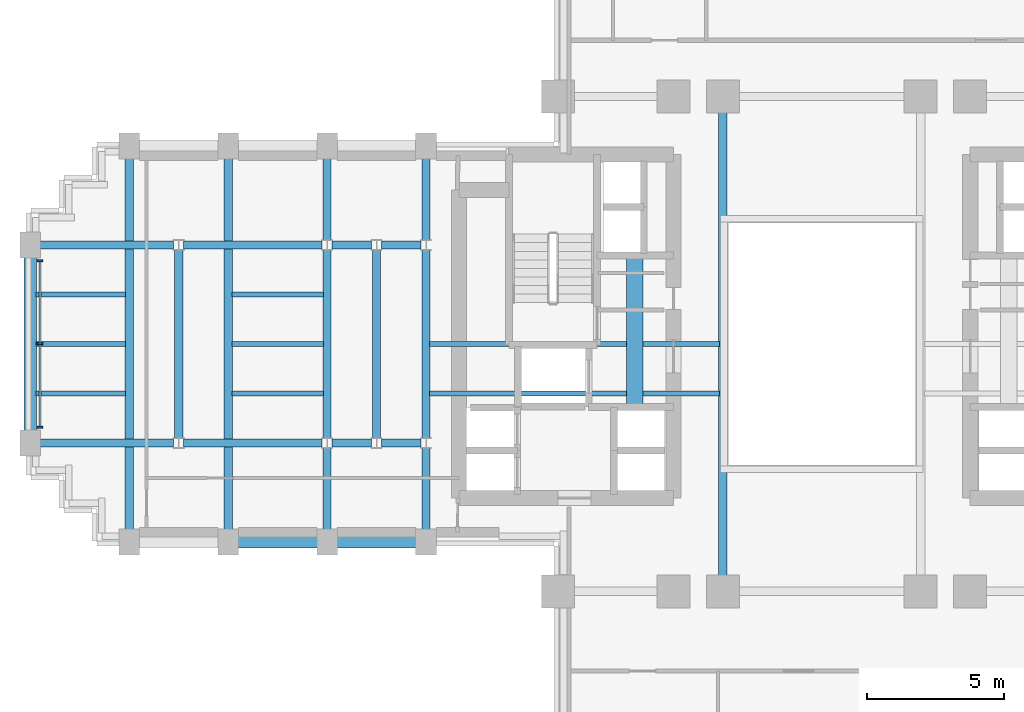
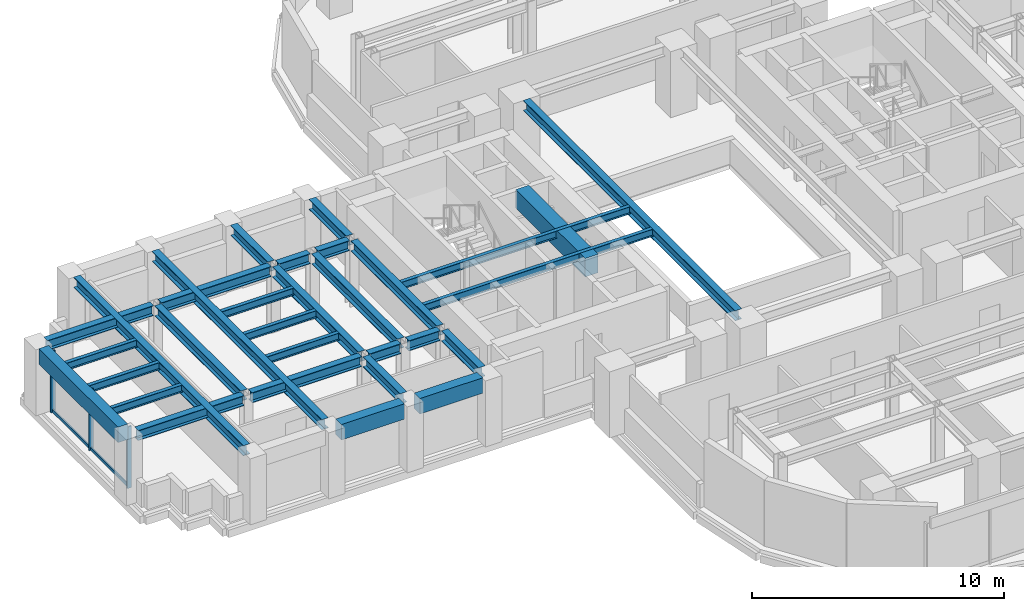
# One storey, part 4 of 16: 31 beams, 5 members, 1 element without a shape of its own.
"""IFC4 building model written with IfcOpenShell, lengths in metres."""

from ifc_helpers import new_model, si_unit, direction, frame, origin, origin_2d, place, context, subcontext, project, spatial, rectangle, i_section, extrude, source, transform, mapped, material, material_profile, profile_set, type_object, element, aggregate, save


model = new_model("IFC4")

# Units and contexts
model_context = context("Model", 3, precision=1e-05, world=origin(), true_north=direction((0.0, 1.0)))
body_context = subcontext(model_context, "Body", "Model", "MODEL_VIEW")
ifc_project = project(units=[si_unit("LENGTHUNIT", "METRE"), si_unit("AREAUNIT", "SQUARE_METRE"), si_unit("VOLUMEUNIT", "CUBIC_METRE"), si_unit("PLANEANGLEUNIT", "RADIAN"), si_unit("MASSUNIT", "GRAM", prefix="KILO")], contexts=[model_context])

# Site, building, storey
site_placement = place(None, origin())
site = spatial("IfcSite", under=ifc_project, at=site_placement, CompositionType="ELEMENT")
building_placement = place(site_placement, origin())
building = spatial("IfcBuilding", under=site, at=building_placement, Name="Keilestroom Media Tower", CompositionType="ELEMENT")
storey_placement = place(building_placement, frame((0.0, 0.0, 54.39990234375)))
storey = spatial("IfcBuildingStorey", under=building, at=storey_placement, Name="L13", CompositionType="ELEMENT", Elevation=54.39990234375)

# Beams
ifc_material_1 = material(Name="Concrete C70/85", Category="concrete")
ifc_material_profile_1 = material_profile(ifc_material_1, rectangle(XDim=0.60009765625, YDim=0.89990234375, at=origin_2d()), Name="RC 600x900")
ifc_profile_set_1 = profile_set([ifc_material_profile_1], Name="Concrete C70/85")
beam_type_1 = type_object("IfcBeamType", Name="Core-Coupling-Lintel-Beam-RC-600x900", PredefinedType="LINTEL", material=ifc_profile_set_1)
shared_shape_1 = source(origin(), body_context, "Body", "SweptSolid", [
    extrude(rectangle(XDim=0.60009765625, YDim=0.89990234375, at=origin_2d()), origin(), (0.0, 0.0, 1.0), 5.52001953125),
])
beam_1_placement = place(storey_placement, frame((-6.800048828125, -2.300048828125, 2.75), z_axis=(0.0, 1.0, 0.0), x_axis=(-1.0, 0.0, 0.0)))
element("IfcBeam", 1, at=beam_1_placement, inside=storey, type_object=beam_type_1, Name="L13 Beam CLB-1 CLB-L13-W", PredefinedType="LINTEL", context=body_context, shape_type="MappedRepresentation", body=[
    mapped(shared_shape_1, transform((0.0, 0.0, 0.0), x_axis=(1.0, 0.0, 0.0), y_axis=(0.0, 1.0, 0.0), z_axis=(0.0, 0.0, 1.0), scale=1.0)),
])
ifc_material_2 = material(Name="Precast concrete C40/50", Category="concrete")
ifc_material_profile_2 = material_profile(ifc_material_2, rectangle(XDim=0.449951171875, YDim=0.75, at=origin_2d()), Name="PC 450x750")
ifc_profile_set_2 = profile_set([ifc_material_profile_2], Name="Precast concrete C40/50")
beam_type_2 = type_object("IfcBeamType", Name="Perimeter-Spandrel-Beam-PC-450x750", PredefinedType="SPANDREL", material=ifc_profile_set_2)
shared_shape_2 = source(origin(), body_context, "Body", "SweptSolid", [
    extrude(rectangle(XDim=0.449951171875, YDim=0.75, at=origin_2d()), origin(), (0.0, 0.0, 1.0), 6.2900390625),
])
beam_2_placement = place(storey_placement, frame((-28.800048828125, -3.14501953125, 2.8251953125), z_axis=(0.0, 1.0, 0.0), x_axis=(-1.0, 0.0, 0.0)))
element("IfcBeam", 2, at=beam_2_placement, inside=storey, type_object=beam_type_2, Name="L13 Beam SPB-1 BM-L13-NS-051", PredefinedType="SPANDREL", context=body_context, shape_type="MappedRepresentation", body=[
    mapped(shared_shape_2, transform((0.0, 0.0, 0.0), x_axis=(1.0, 0.0, 0.0), y_axis=(0.0, 1.0, 0.0), z_axis=(0.0, 0.0, 1.0), scale=1.0)),
])
shared_shape_3 = source(origin(), body_context, "Body", "SweptSolid", [
    extrude(rectangle(XDim=0.449951171875, YDim=0.75, at=origin_2d()), origin(), (0.0, 0.0, 1.0), 2.89013671875),
])
for number, where, z_axis, x_axis, name in (
    (3, (-21.2451171875, -7.199951171875, 2.8251953125), (1.0, 0.0, 0.0), (0.0, 1.0, 0.0), "L13 Beam SPB-1 BM-L13-EW-013"),
    (4, (-17.64501953125, -7.199951171875, 2.8251953125), (1.0, 0.0, 0.0), (0.0, 1.0, 0.0), "L13 Beam SPB-1 BM-L13-EW-014"),
):
    element("IfcBeam", number, at=place(storey_placement, frame(where, z_axis=z_axis, x_axis=x_axis)), inside=storey, type_object=beam_type_2, Name=name, PredefinedType="SPANDREL", context=body_context, shape_type="MappedRepresentation", body=[
        mapped(shared_shape_3, transform((0.0, 0.0, 0.0), x_axis=(1.0, 0.0, 0.0), y_axis=(0.0, 1.0, 0.0), z_axis=(0.0, 0.0, 1.0), scale=1.0)),
    ])
ifc_material_3 = material(Name="Steel S355", Category="steel")
ifc_material_profile_3 = material_profile(ifc_material_3, i_section(OverallWidth=0.300048828125, OverallDepth=0.5, WebThickness=0.012451171875, FlangeThickness=0.028076171875, at=origin_2d()), Name="HEB 500")
ifc_profile_set_3 = profile_set([ifc_material_profile_3], Name="Steel S355")
beam_type_3 = type_object("IfcBeamType", Name="Primary-Structural-Girder-HEB-500", PredefinedType="BEAM", material=ifc_profile_set_3)
shared_shape_4 = source(origin(), body_context, "Body", "SweptSolid", [
    extrude(i_section(OverallWidth=0.300048828125, OverallDepth=0.5, WebThickness=0.012451171875, FlangeThickness=0.028076171875, at=origin_2d()), origin(), (0.0, 0.0, 1.0), 13.490234375),
])
for number, where, z_axis, x_axis, name in (
    (5, (-25.199951171875, -6.7451171875, 2.9501953125), (0.0, 1.0, 0.0), (-1.0, 0.0, 0.0), "L13 Beam BG-6 BM-L13-NS-052"),
    (6, (-21.60009765625, -6.7451171875, 2.9501953125), (0.0, 1.0, 0.0), (-1.0, 0.0, 0.0), "L13 Beam BG-6 BM-L13-NS-054"),
):
    element("IfcBeam", number, at=place(storey_placement, frame(where, z_axis=z_axis, x_axis=x_axis)), inside=storey, type_object=beam_type_3, Name=name, PredefinedType="BEAM", context=body_context, shape_type="MappedRepresentation", body=[
        mapped(shared_shape_4, transform((0.0, 0.0, 0.0), x_axis=(1.0, 0.0, 0.0), y_axis=(0.0, 1.0, 0.0), z_axis=(0.0, 0.0, 1.0), scale=1.0)),
    ])
shared_shape_5 = source(origin(), body_context, "Body", "SweptSolid", [
    extrude(i_section(OverallWidth=0.300048828125, OverallDepth=0.5, WebThickness=0.012451171875, FlangeThickness=0.028076171875, at=origin_2d()), origin(), (0.0, 0.0, 1.0), 6.8330078125),
])
for number, where, z_axis, x_axis, name in (
    (7, (-23.39990234375, -3.41650390625, 2.9501953125), (0.0, 1.0, 0.0), (-1.0, 0.0, 0.0), "L13 Beam BG-6 BM-L13-NS-053"),
    (8, (-18.0, -3.41650390625, 2.9501953125), (0.0, 1.0, 0.0), (-1.0, 0.0, 0.0), "L13 Beam BG-6 BM-L13-NS-056"),
    (9, (-16.199951171875, -3.41650390625, 2.9501953125), (0.0, 1.0, 0.0), (-1.0, 0.0, 0.0), "L13 Beam BG-6 BM-L13-NS-058"),
    (10, (-14.39990234375, -3.41650390625, 2.9501953125), (0.0, 1.0, 0.0), (-1.0, 0.0, 0.0), "L13 Beam BG-6 BM-L13-NS-060"),
):
    element("IfcBeam", number, at=place(storey_placement, frame(where, z_axis=z_axis, x_axis=x_axis)), inside=storey, type_object=beam_type_3, Name=name, PredefinedType="BEAM", context=body_context, shape_type="MappedRepresentation", body=[
        mapped(shared_shape_5, transform((0.0, 0.0, 0.0), x_axis=(1.0, 0.0, 0.0), y_axis=(0.0, 1.0, 0.0), z_axis=(0.0, 0.0, 1.0), scale=1.0)),
    ])
shared_shape_6 = source(origin(), body_context, "Body", "SweptSolid", [
    extrude(i_section(OverallWidth=0.300048828125, OverallDepth=0.5, WebThickness=0.012451171875, FlangeThickness=0.028076171875, at=origin_2d()), origin(), (0.0, 0.0, 1.0), 2.961669921875),
])
for number, where, z_axis, x_axis, name in (
    (11, (-18.0, -6.7451171875, 2.9501953125), (0.0, 1.0, 0.0), (-1.0, 0.0, 0.0), "L13 Beam BG-6 BM-L13-NS-055"),
    (12, (-18.0, 3.783447265625, 2.9501953125), (0.0, 1.0, 0.0), (-1.0, 0.0, 0.0), "L13 Beam BG-6 BM-L13-NS-057"),
    (13, (-14.39990234375, -6.7451171875, 2.9501953125), (0.0, 1.0, 0.0), (-1.0, 0.0, 0.0), "L13 Beam BG-6 BM-L13-NS-059"),
    (14, (-14.39990234375, 3.783447265625, 2.9501953125), (0.0, 1.0, 0.0), (-1.0, 0.0, 0.0), "L13 Beam BG-6 BM-L13-NS-061"),
):
    element("IfcBeam", number, at=place(storey_placement, frame(where, z_axis=z_axis, x_axis=x_axis)), inside=storey, type_object=beam_type_3, Name=name, PredefinedType="BEAM", context=body_context, shape_type="MappedRepresentation", body=[
        mapped(shared_shape_6, transform((0.0, 0.0, 0.0), x_axis=(1.0, 0.0, 0.0), y_axis=(0.0, 1.0, 0.0), z_axis=(0.0, 0.0, 1.0), scale=1.0)),
    ])
shared_shape_7 = source(origin(), body_context, "Body", "SweptSolid", [
    extrude(i_section(OverallWidth=0.300048828125, OverallDepth=0.5, WebThickness=0.012451171875, FlangeThickness=0.028076171875, at=origin_2d()), origin(), (0.0, 0.0, 1.0), 16.83984375),
])
beam_3_placement = place(storey_placement, frame((-3.60009765625, -8.419921875, 2.9501953125), z_axis=(0.0, 1.0, 0.0), x_axis=(-1.0, 0.0, 0.0)))
element("IfcBeam", 15, at=beam_3_placement, inside=storey, type_object=beam_type_3, Name="L13 Beam BG-6 BM-L13-NS-066", PredefinedType="BEAM", context=body_context, shape_type="MappedRepresentation", body=[
    mapped(shared_shape_7, transform((0.0, 0.0, 0.0), x_axis=(1.0, 0.0, 0.0), y_axis=(0.0, 1.0, 0.0), z_axis=(0.0, 0.0, 1.0), scale=1.0)),
])
ifc_material_profile_4 = material_profile(ifc_material_3, i_section(OverallWidth=0.300048828125, OverallDepth=0.489990234375, WebThickness=0.011962890625, FlangeThickness=0.02294921875, at=origin_2d()), Name="HEA 500")
ifc_profile_set_4 = profile_set([ifc_material_profile_4], Name="Steel S355")
beam_type_4 = type_object("IfcBeamType", Name="Primary-Structural-Girder-HEA-500", PredefinedType="BEAM", material=ifc_profile_set_4)
shared_shape_8 = source(origin(), body_context, "Body", "SweptSolid", [
    extrude(i_section(OverallWidth=0.300048828125, OverallDepth=0.489990234375, WebThickness=0.011962890625, FlangeThickness=0.02294921875, at=origin_2d()), origin(), (0.0, 0.0, 1.0), 4.863037109375),
])
for number, where, z_axis, x_axis, name in (
    (16, (-28.445068359375, -3.60009765625, 2.955078125), (1.0, 0.0, 0.0), (0.0, 1.0, 0.0), "L13 Beam BG-10 BM-L13-EW-018"),
    (17, (-28.445068359375, 3.60009765625, 2.955078125), (1.0, 0.0, 0.0), (0.0, 1.0, 0.0), "L13 Beam BG-10 BM-L13-EW-026"),
):
    element("IfcBeam", number, at=place(storey_placement, frame(where, z_axis=z_axis, x_axis=x_axis)), inside=storey, type_object=beam_type_4, Name=name, PredefinedType="BEAM", context=body_context, shape_type="MappedRepresentation", body=[
        mapped(shared_shape_8, transform((0.0, 0.0, 0.0), x_axis=(1.0, 0.0, 0.0), y_axis=(0.0, 1.0, 0.0), z_axis=(0.0, 0.0, 1.0), scale=1.0)),
    ])
shared_shape_9 = source(origin(), body_context, "Body", "SweptSolid", [
    extrude(i_section(OverallWidth=0.300048828125, OverallDepth=0.489990234375, WebThickness=0.011962890625, FlangeThickness=0.02294921875, at=origin_2d()), origin(), (0.0, 0.0, 1.0), 5.0361328125),
])
for number, where, z_axis, x_axis, name in (
    (18, (-23.218017578125, -3.60009765625, 2.955078125), (1.0, 0.0, 0.0), (0.0, 1.0, 0.0), "L13 Beam BG-10 BM-L13-EW-019"),
    (19, (-23.218017578125, 3.60009765625, 2.955078125), (1.0, 0.0, 0.0), (0.0, 1.0, 0.0), "L13 Beam BG-10 BM-L13-EW-027"),
):
    element("IfcBeam", number, at=place(storey_placement, frame(where, z_axis=z_axis, x_axis=x_axis)), inside=storey, type_object=beam_type_4, Name=name, PredefinedType="BEAM", context=body_context, shape_type="MappedRepresentation", body=[
        mapped(shared_shape_9, transform((0.0, 0.0, 0.0), x_axis=(1.0, 0.0, 0.0), y_axis=(0.0, 1.0, 0.0), z_axis=(0.0, 0.0, 1.0), scale=1.0)),
    ])
shared_shape_10 = source(origin(), body_context, "Body", "SweptSolid", [
    extrude(i_section(OverallWidth=0.300048828125, OverallDepth=0.489990234375, WebThickness=0.011962890625, FlangeThickness=0.02294921875, at=origin_2d()), origin(), (0.0, 0.0, 1.0), 1.43603515625),
])
for number, where, z_axis, x_axis, name in (
    (20, (-17.818115234375, -3.60009765625, 2.955078125), (1.0, 0.0, 0.0), (0.0, 1.0, 0.0), "L13 Beam BG-10 BM-L13-EW-020"),
    (21, (-16.01806640625, -3.60009765625, 2.955078125), (1.0, 0.0, 0.0), (0.0, 1.0, 0.0), "L13 Beam BG-10 BM-L13-EW-021"),
    (22, (-17.818115234375, 3.60009765625, 2.955078125), (1.0, 0.0, 0.0), (0.0, 1.0, 0.0), "L13 Beam BG-10 BM-L13-EW-028"),
    (23, (-16.01806640625, 3.60009765625, 2.955078125), (1.0, 0.0, 0.0), (0.0, 1.0, 0.0), "L13 Beam BG-10 BM-L13-EW-029"),
):
    element("IfcBeam", number, at=place(storey_placement, frame(where, z_axis=z_axis, x_axis=x_axis)), inside=storey, type_object=beam_type_4, Name=name, PredefinedType="BEAM", context=body_context, shape_type="MappedRepresentation", body=[
        mapped(shared_shape_10, transform((0.0, 0.0, 0.0), x_axis=(1.0, 0.0, 0.0), y_axis=(0.0, 1.0, 0.0), z_axis=(0.0, 0.0, 1.0), scale=1.0)),
    ])
ifc_material_profile_5 = material_profile(ifc_material_3, i_section(OverallWidth=0.169921875, OverallDepth=0.360107421875, WebThickness=0.008056640625, FlangeThickness=0.0126953125, at=origin_2d()), Name="IPE 360")
ifc_profile_set_5 = profile_set([ifc_material_profile_5], Name="Steel S355")
beam_type_5 = type_object("IfcBeamType", Name="Secondary-Floor-Joist-IPE-360", PredefinedType="JOIST", material=ifc_profile_set_5)
shared_shape_11 = source(origin(), body_context, "Body", "SweptSolid", [
    extrude(i_section(OverallWidth=0.169921875, OverallDepth=0.360107421875, WebThickness=0.008056640625, FlangeThickness=0.0126953125, at=origin_2d()), origin(), (0.0, 0.0, 1.0), 3.264892578125),
])
for number, where, z_axis, x_axis, name in (
    (24, (-28.594970703125, -1.800048828125, 3.02001953125), (1.0, 0.0, 0.0), (0.0, 1.0, 0.0), "L13 Beam BJ-5 JST-L13-089"),
    (25, (-28.594970703125, 0.0, 3.02001953125), (1.0, 0.0, 0.0), (0.0, 1.0, 0.0), "L13 Beam BJ-5 JST-L13-096"),
    (26, (-28.594970703125, 1.800048828125, 3.02001953125), (1.0, 0.0, 0.0), (0.0, 1.0, 0.0), "L13 Beam BJ-5 JST-L13-103"),
):
    element("IfcBeam", number, at=place(storey_placement, frame(where, z_axis=z_axis, x_axis=x_axis)), inside=storey, type_object=beam_type_5, Name=name, PredefinedType="JOIST", context=body_context, shape_type="MappedRepresentation", body=[
        mapped(shared_shape_11, transform((0.0, 0.0, 0.0), x_axis=(1.0, 0.0, 0.0), y_axis=(0.0, 1.0, 0.0), z_axis=(0.0, 0.0, 1.0), scale=1.0)),
    ])
shared_shape_12 = source(origin(), body_context, "Body", "SweptSolid", [
    extrude(i_section(OverallWidth=0.169921875, OverallDepth=0.360107421875, WebThickness=0.008056640625, FlangeThickness=0.0126953125, at=origin_2d()), origin(), (0.0, 0.0, 1.0), 3.340087890625),
])
for number, where, z_axis, x_axis, name in (
    (27, (-21.469970703125, -1.800048828125, 3.02001953125), (1.0, 0.0, 0.0), (0.0, 1.0, 0.0), "L13 Beam BJ-5 JST-L13-090"),
    (28, (-21.469970703125, 0.0, 3.02001953125), (1.0, 0.0, 0.0), (0.0, 1.0, 0.0), "L13 Beam BJ-5 JST-L13-097"),
    (29, (-21.469970703125, 1.800048828125, 3.02001953125), (1.0, 0.0, 0.0), (0.0, 1.0, 0.0), "L13 Beam BJ-5 JST-L13-104"),
):
    element("IfcBeam", number, at=place(storey_placement, frame(where, z_axis=z_axis, x_axis=x_axis)), inside=storey, type_object=beam_type_5, Name=name, PredefinedType="JOIST", context=body_context, shape_type="MappedRepresentation", body=[
        mapped(shared_shape_12, transform((0.0, 0.0, 0.0), x_axis=(1.0, 0.0, 0.0), y_axis=(0.0, 1.0, 0.0), z_axis=(0.0, 0.0, 1.0), scale=1.0)),
    ])
shared_shape_13 = source(origin(), body_context, "Body", "SweptSolid", [
    extrude(i_section(OverallWidth=0.169921875, OverallDepth=0.360107421875, WebThickness=0.008056640625, FlangeThickness=0.0126953125, at=origin_2d()), origin(), (0.0, 0.0, 1.0), 10.5400390625),
])
for number, where, z_axis, x_axis, name in (
    (30, (-14.27001953125, -1.800048828125, 3.02001953125), (1.0, 0.0, 0.0), (0.0, 1.0, 0.0), "L13 Beam BJ-5 JST-L13-091"),
    (31, (-14.27001953125, 0.0, 3.02001953125), (1.0, 0.0, 0.0), (0.0, 1.0, 0.0), "L13 Beam BJ-5 JST-L13-098"),
):
    element("IfcBeam", number, at=place(storey_placement, frame(where, z_axis=z_axis, x_axis=x_axis)), inside=storey, type_object=beam_type_5, Name=name, PredefinedType="JOIST", context=body_context, shape_type="MappedRepresentation", body=[
        mapped(shared_shape_13, transform((0.0, 0.0, 0.0), x_axis=(1.0, 0.0, 0.0), y_axis=(0.0, 1.0, 0.0), z_axis=(0.0, 0.0, 1.0), scale=1.0)),
    ])

# Curtain wall, members
ifc_material_4 = material(Name="Anodised Aluminium Alloy", Category="aluminium")
curtain_wall_type = type_object("IfcCurtainWallType", Name="Unitised-Curtain-Wall-CW-1", PredefinedType="NOTDEFINED", material=ifc_material_4)
curtain_wall_placement = place(storey_placement, origin())
curtain_wall = element("IfcCurtainWall", 32, at=curtain_wall_placement, inside=storey, type_object=curtain_wall_type, Name="L13 Curtain Wall CW-1 CW-L13-W-1", PredefinedType="NOTDEFINED")
ifc_material_profile_6 = material_profile(ifc_material_4, rectangle(XDim=0.070068359375, YDim=0.199951171875, at=origin_2d()), Name="ALU MULLION 70x200")
ifc_profile_set_6 = profile_set([ifc_material_profile_6], Name="Anodised Aluminium Alloy")
member_type_1 = type_object("IfcMemberType", Name="Curtain-Wall-Mullion-CW-1", PredefinedType="MULLION", material=ifc_profile_set_6)
shared_shape_14 = source(origin(), body_context, "Body", "SweptSolid", [
    extrude(rectangle(XDim=0.070068359375, YDim=0.199951171875, at=origin_2d()), origin(), (0.0, 0.0, 1.0), 2.97998046875),
])
member_1_placement = place(storey_placement, frame((-28.449951171875, -3.030029296875, 0.0), z_axis=(0.0, 0.0, 1.0), x_axis=(0.0, 1.0, 0.0)))
member_1 = element("IfcMember", 33, at=member_1_placement, type_object=member_type_1, Name="CW-1 Mullion 00", PredefinedType="MULLION", context=body_context, shape_type="MappedRepresentation", body=[
    mapped(shared_shape_14, transform((0.0, 0.0, 0.0), x_axis=(1.0, 0.0, 0.0), y_axis=(0.0, 1.0, 0.0), z_axis=(0.0, 0.0, 1.0), scale=1.0)),
])
member_2_placement = place(storey_placement, frame((-28.449951171875, 0.0, 0.0), z_axis=(0.0, 0.0, 1.0), x_axis=(0.0, 1.0, 0.0)))
member_2 = element("IfcMember", 34, at=member_2_placement, type_object=member_type_1, Name="CW-1 Mullion 01", PredefinedType="MULLION", context=body_context, shape_type="MappedRepresentation", body=[
    mapped(shared_shape_14, transform((0.0, 0.0, 0.0), x_axis=(1.0, 0.0, 0.0), y_axis=(0.0, 1.0, 0.0), z_axis=(0.0, 0.0, 1.0), scale=1.0)),
])
member_3_placement = place(storey_placement, frame((-28.449951171875, 3.030029296875, 0.0), z_axis=(0.0, 0.0, 1.0), x_axis=(0.0, 1.0, 0.0)))
member_3 = element("IfcMember", 35, at=member_3_placement, type_object=member_type_1, Name="CW-1 Mullion 02", PredefinedType="MULLION", context=body_context, shape_type="MappedRepresentation", body=[
    mapped(shared_shape_14, transform((0.0, 0.0, 0.0), x_axis=(1.0, 0.0, 0.0), y_axis=(0.0, 1.0, 0.0), z_axis=(0.0, 0.0, 1.0), scale=1.0)),
])
ifc_material_profile_7 = material_profile(ifc_material_4, rectangle(XDim=0.06494140625, YDim=0.14990234375, at=origin_2d()), Name="ALU TRANSOM 65x150")
ifc_profile_set_7 = profile_set([ifc_material_profile_7], Name="Anodised Aluminium Alloy")
member_type_2 = type_object("IfcMemberType", Name="Curtain-Wall-Transom-CW-1", PredefinedType="USERDEFINED", material=ifc_profile_set_7)
shared_shape_15 = source(origin(), body_context, "Body", "SweptSolid", [
    extrude(rectangle(XDim=0.06494140625, YDim=0.14990234375, at=origin_2d()), origin(), (0.0, 0.0, 1.0), 2.964111328125),
])
member_4_placement = place(storey_placement, frame((-28.449951171875, -2.9970703125, 0.0751953125), z_axis=(0.0, 1.0, 0.0), x_axis=(-1.0, 0.0, 0.0)))
member_4 = element("IfcMember", 36, at=member_4_placement, type_object=member_type_2, Name="CW-1 Transom 00.1", ObjectType="TRANSOM", PredefinedType="USERDEFINED", context=body_context, shape_type="MappedRepresentation", body=[
    mapped(shared_shape_15, transform((0.0, 0.0, 0.0), x_axis=(1.0, 0.0, 0.0), y_axis=(0.0, 1.0, 0.0), z_axis=(0.0, 0.0, 1.0), scale=1.0)),
])
member_5_placement = place(storey_placement, frame((-28.449951171875, 0.032958984375, 0.0751953125), z_axis=(0.0, 1.0, 0.0), x_axis=(-1.0, 0.0, 0.0)))
member_5 = element("IfcMember", 37, at=member_5_placement, type_object=member_type_2, Name="CW-1 Transom 01.1", ObjectType="TRANSOM", PredefinedType="USERDEFINED", context=body_context, shape_type="MappedRepresentation", body=[
    mapped(shared_shape_15, transform((0.0, 0.0, 0.0), x_axis=(1.0, 0.0, 0.0), y_axis=(0.0, 1.0, 0.0), z_axis=(0.0, 0.0, 1.0), scale=1.0)),
])
aggregate(curtain_wall, [member_1, member_2, member_3, member_4, member_5])

save(model, "model.ifc")
